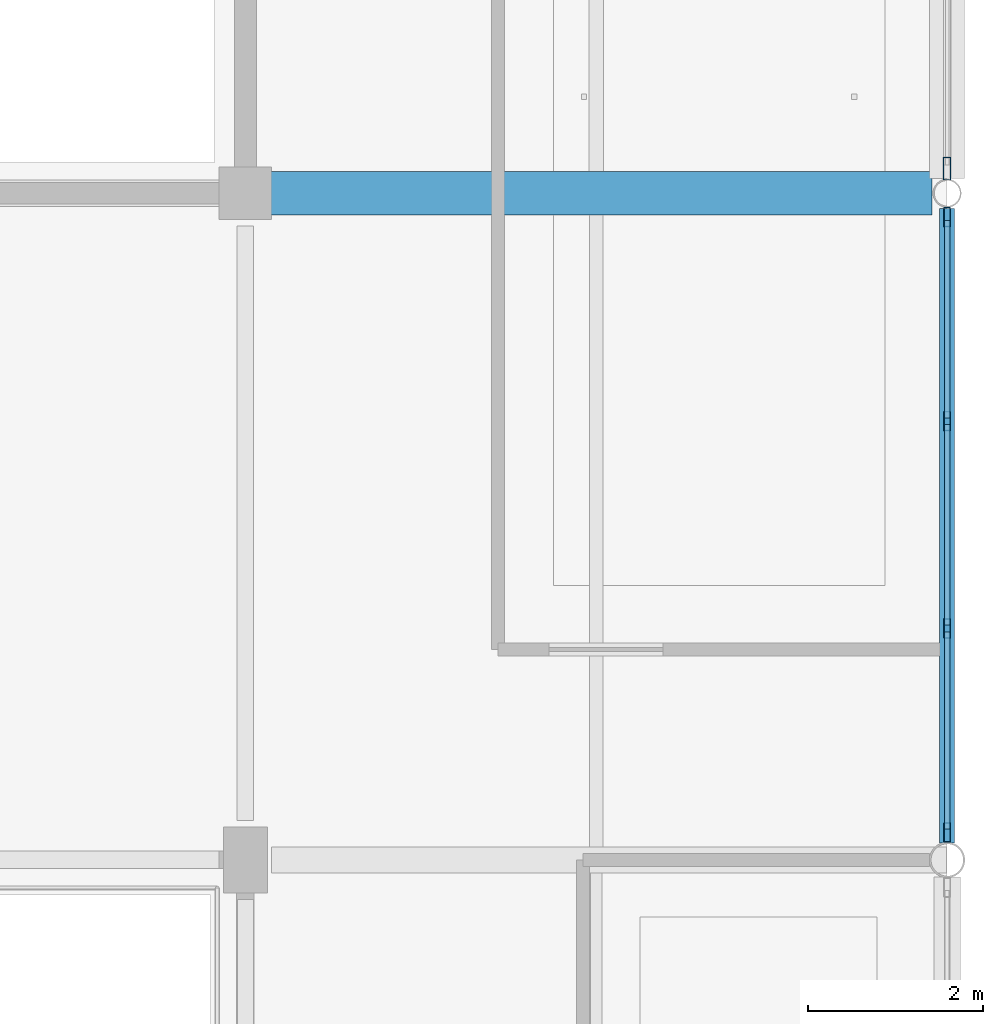
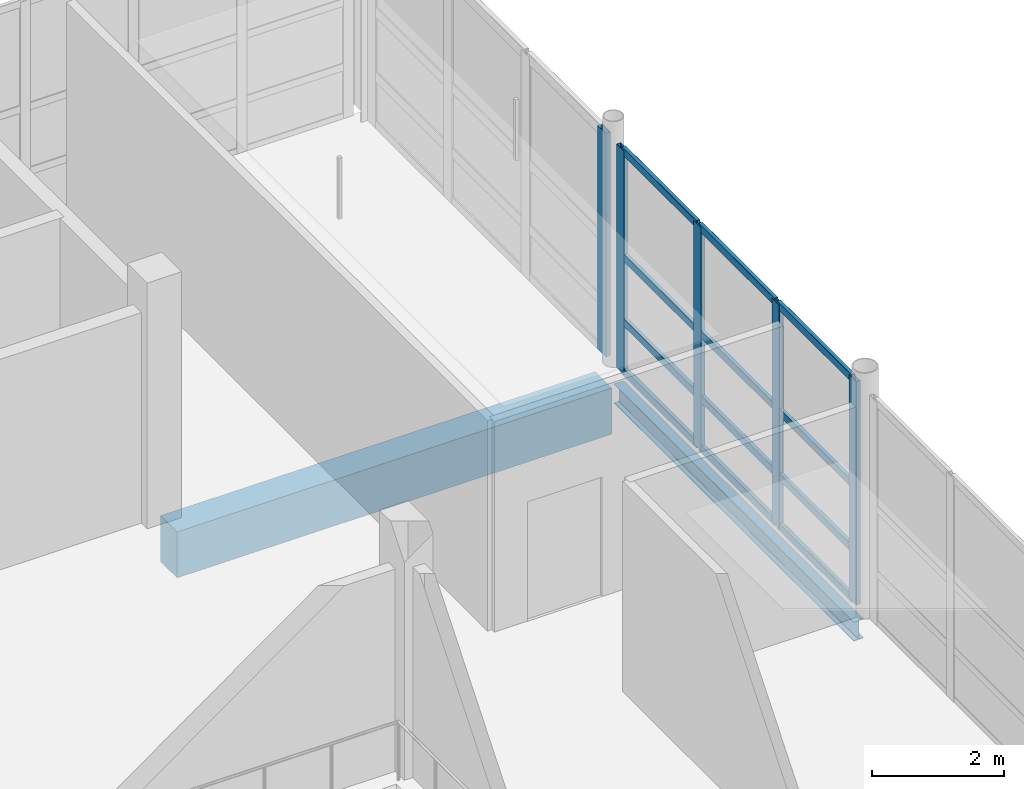
# One storey, part 41 of 107: 17 members, 2 beams, 2 elements without a shape of their own.
"""IFC4 building model written with IfcOpenShell, lengths in metres."""

from ifc_helpers import new_model, si_unit, direction, frame, origin, origin_2d, place, context, subcontext, project, spatial, rectangle, hollow_rectangle, i_section, extrude, material, material_profile, profile_set, type_object, element, aggregate, save


model = new_model("IFC4")

# Units and contexts
model_context = context("Model", 3, precision=1e-05, world=origin(), true_north=direction((0.0, 1.0)))
body_context = subcontext(model_context, "Body", "Model", "MODEL_VIEW")
ifc_project = project(units=[si_unit("LENGTHUNIT", "METRE"), si_unit("AREAUNIT", "SQUARE_METRE"), si_unit("VOLUMEUNIT", "CUBIC_METRE"), si_unit("PLANEANGLEUNIT", "RADIAN"), si_unit("MASSUNIT", "GRAM", prefix="KILO")], contexts=[model_context])

# Site, building, storey
site_placement = place(None, origin())
site = spatial("IfcSite", under=ifc_project, at=site_placement, CompositionType="ELEMENT")
building_placement = place(site_placement, origin())
building = spatial("IfcBuilding", under=site, at=building_placement, Name="Khelvaren Railside Concert Hall", CompositionType="ELEMENT")
storey_placement = place(building_placement, frame((0.0, 0.0, 15.0)))
storey = spatial("IfcBuildingStorey", under=building, at=storey_placement, Name="L03", CompositionType="ELEMENT", Elevation=15.0)

# Curtain wall, members
ifc_material_1 = material(Name="Double-glazed clear foyer glass", Category="glass")
curtain_wall_type_1 = type_object("IfcCurtainWallType", Name="CW83", PredefinedType="USERDEFINED", material=ifc_material_1)
curtain_wall_1_placement = place(storey_placement, origin())
curtain_wall_1 = element("IfcCurtainWall", 1, at=curtain_wall_1_placement, inside=storey, type_object=curtain_wall_type_1, Name="Unitised Curtain Wall CW-V2-L03-E-23", ObjectType="UNITISED CURTAIN WALL", PredefinedType="USERDEFINED")
ifc_material_2 = material(Name="Anodised architectural aluminium 6063-T6", Category="aluminium")
ifc_material_profile_1 = material_profile(ifc_material_2, hollow_rectangle(XDim=0.074951171875, YDim=0.219970703125, WallThickness=0.0048828125, InnerFilletRadius=0.0029296875, OuterFilletRadius=0.0048828125, at=origin_2d()), Name="CWM 75x220x5")
ifc_profile_set_1 = profile_set([ifc_material_profile_1], Name="Anodised architectural aluminium 6063-T6")
member_type_1 = type_object("IfcMemberType", Name="CWM13", PredefinedType="MULLION", material=ifc_profile_set_1)
member_1_placement = place(storey_placement, frame((184.0, 30.1279296875, 0.0), z_axis=(0.0, 0.0, 1.0), x_axis=(1.0, 0.0, 0.0)))
member_1 = element("IfcMember", 2, at=member_1_placement, type_object=member_type_1, Name="CW83 mullion 1", PredefinedType="MULLION", context=body_context, shape_type="SweptSolid", body=[
    extrude(hollow_rectangle(XDim=0.074951171875, YDim=0.219970703125, WallThickness=0.0048828125, InnerFilletRadius=0.0029296875, OuterFilletRadius=0.0048828125, at=origin_2d()), origin(), (0.0, 0.0, 1.0), 4.1201171875),
])
member_2_placement = place(storey_placement, frame((184.0, 27.80224609375, 0.0), z_axis=(0.0, 0.0, 1.0), x_axis=(1.0, 0.0, 0.0)))
member_2 = element("IfcMember", 3, at=member_2_placement, type_object=member_type_1, Name="CW83 mullion 2", PredefinedType="MULLION", context=body_context, shape_type="SweptSolid", body=[
    extrude(hollow_rectangle(XDim=0.074951171875, YDim=0.219970703125, WallThickness=0.0048828125, InnerFilletRadius=0.0029296875, OuterFilletRadius=0.0048828125, at=origin_2d()), origin(), (0.0, 0.0, 1.0), 4.1201171875),
])
member_3_placement = place(storey_placement, frame((184.0, 25.43896484375, 0.0), z_axis=(0.0, 0.0, 1.0), x_axis=(1.0, 0.0, 0.0)))
member_3 = element("IfcMember", 4, at=member_3_placement, type_object=member_type_1, Name="CW83 mullion 3", PredefinedType="MULLION", context=body_context, shape_type="SweptSolid", body=[
    extrude(hollow_rectangle(XDim=0.074951171875, YDim=0.219970703125, WallThickness=0.0048828125, InnerFilletRadius=0.0029296875, OuterFilletRadius=0.0048828125, at=origin_2d()), origin(), (0.0, 0.0, 1.0), 4.1201171875),
])
member_4_placement = place(storey_placement, frame((184.0, 23.11328125, 0.0), z_axis=(0.0, 0.0, 1.0), x_axis=(1.0, 0.0, 0.0)))
member_4 = element("IfcMember", 5, at=member_4_placement, type_object=member_type_1, Name="CW83 mullion 4", PredefinedType="MULLION", context=body_context, shape_type="SweptSolid", body=[
    extrude(hollow_rectangle(XDim=0.074951171875, YDim=0.219970703125, WallThickness=0.0048828125, InnerFilletRadius=0.0029296875, OuterFilletRadius=0.0048828125, at=origin_2d()), origin(), (0.0, 0.0, 1.0), 4.1201171875),
])

# Curtain wall, member
ifc_material_3 = material(Name="Acoustic laminated crystal facade glass", Category="glass")
curtain_wall_type_2 = type_object("IfcCurtainWallType", Name="CW15", PredefinedType="USERDEFINED", material=ifc_material_3)
curtain_wall_2_placement = place(storey_placement, origin())
curtain_wall_2 = element("IfcCurtainWall", 6, at=curtain_wall_2_placement, inside=storey, type_object=curtain_wall_type_2, Name="Unitised Curtain Wall CW-V2-L03-E-30", ObjectType="UNITISED CURTAIN WALL", PredefinedType="USERDEFINED")
ifc_material_profile_2 = material_profile(ifc_material_2, hollow_rectangle(XDim=0.0849609375, YDim=0.260009765625, WallThickness=0.0048828125, InnerFilletRadius=0.0029296875, OuterFilletRadius=0.0048828125, at=origin_2d()), Name="CWM 85x260x5")
ifc_profile_set_2 = profile_set([ifc_material_profile_2], Name="Anodised architectural aluminium 6063-T6")
member_type_2 = type_object("IfcMemberType", Name="CWM40", PredefinedType="MULLION", material=ifc_profile_set_2)
member_5_placement = place(storey_placement, frame((184.0, 30.681884765625, 0.0), z_axis=(0.0, 0.0, 1.0), x_axis=(1.0, 0.0, 0.0)))
member_5 = element("IfcMember", 7, at=member_5_placement, type_object=member_type_2, Name="CW15 mullion 4", PredefinedType="MULLION", context=body_context, shape_type="SweptSolid", body=[
    extrude(hollow_rectangle(XDim=0.0849609375, YDim=0.260009765625, WallThickness=0.0048828125, InnerFilletRadius=0.0029296875, OuterFilletRadius=0.0048828125, at=origin_2d()), origin(), (0.0, 0.0, 1.0), 4.1201171875),
])
aggregate(curtain_wall_2, [member_5])

# Member
ifc_material_profile_3 = material_profile(ifc_material_2, hollow_rectangle(XDim=0.06494140625, YDim=0.139892578125, WallThickness=0.00390625, InnerFilletRadius=0.001953125, OuterFilletRadius=0.00390625, at=origin_2d()), Name="CWT 65x140x4")
ifc_profile_set_3 = profile_set([ifc_material_profile_3], Name="Anodised architectural aluminium 6063-T6")
member_type_3 = type_object("IfcMemberType", Name="CWT72", PredefinedType="USERDEFINED", material=ifc_profile_set_3)
member_6_placement = place(storey_placement, frame((184.0, 30.090576171875, 0.032470703125), z_axis=(0.0, -1.0, 0.0), x_axis=(1.0, 0.0, 0.0)))
member_6 = element("IfcMember", 8, at=member_6_placement, type_object=member_type_3, Name="CW83 transom 1.1", ObjectType="TRANSOM", PredefinedType="USERDEFINED", context=body_context, shape_type="SweptSolid", body=[
    extrude(hollow_rectangle(XDim=0.06494140625, YDim=0.139892578125, WallThickness=0.00390625, InnerFilletRadius=0.001953125, OuterFilletRadius=0.00390625, at=origin_2d()), origin(), (0.0, 0.0, 1.0), 2.250732421875),
])

member_7_placement = place(storey_placement, frame((184.0, 30.090576171875, 0.949951171875), z_axis=(0.0, -1.0, 0.0), x_axis=(1.0, 0.0, 0.0)))
member_7 = element("IfcMember", 9, at=member_7_placement, type_object=member_type_3, Name="CW83 transom 1.2", ObjectType="TRANSOM", PredefinedType="USERDEFINED", context=body_context, shape_type="SweptSolid", body=[
    extrude(hollow_rectangle(XDim=0.06494140625, YDim=0.139892578125, WallThickness=0.00390625, InnerFilletRadius=0.001953125, OuterFilletRadius=0.00390625, at=origin_2d()), origin(), (0.0, 0.0, 1.0), 2.250732421875),
])

member_8_placement = place(storey_placement, frame((184.0, 30.090576171875, 2.142333984375), z_axis=(0.0, -1.0, 0.0), x_axis=(1.0, 0.0, 0.0)))
member_8 = element("IfcMember", 10, at=member_8_placement, type_object=member_type_3, Name="CW83 transom 1.3", ObjectType="TRANSOM", PredefinedType="USERDEFINED", context=body_context, shape_type="SweptSolid", body=[
    extrude(hollow_rectangle(XDim=0.06494140625, YDim=0.139892578125, WallThickness=0.00390625, InnerFilletRadius=0.001953125, OuterFilletRadius=0.00390625, at=origin_2d()), origin(), (0.0, 0.0, 1.0), 2.250732421875),
])

member_9_placement = place(storey_placement, frame((184.0, 30.090576171875, 4.08740234375), z_axis=(0.0, -1.0, 0.0), x_axis=(1.0, 0.0, 0.0)))
member_9 = element("IfcMember", 11, at=member_9_placement, type_object=member_type_3, Name="CW83 transom 1.4", ObjectType="TRANSOM", PredefinedType="USERDEFINED", context=body_context, shape_type="SweptSolid", body=[
    extrude(hollow_rectangle(XDim=0.06494140625, YDim=0.139892578125, WallThickness=0.00390625, InnerFilletRadius=0.001953125, OuterFilletRadius=0.00390625, at=origin_2d()), origin(), (0.0, 0.0, 1.0), 2.250732421875),
])

member_10_placement = place(storey_placement, frame((184.0, 27.7646484375, 0.032470703125), z_axis=(0.0, -1.0, 0.0), x_axis=(1.0, 0.0, 0.0)))
member_10 = element("IfcMember", 12, at=member_10_placement, type_object=member_type_3, Name="CW83 transom 2.1", ObjectType="TRANSOM", PredefinedType="USERDEFINED", context=body_context, shape_type="SweptSolid", body=[
    extrude(hollow_rectangle(XDim=0.06494140625, YDim=0.139892578125, WallThickness=0.00390625, InnerFilletRadius=0.001953125, OuterFilletRadius=0.00390625, at=origin_2d()), origin(), (0.0, 0.0, 1.0), 2.2880859375),
])

member_11_placement = place(storey_placement, frame((184.0, 27.7646484375, 0.949951171875), z_axis=(0.0, -1.0, 0.0), x_axis=(1.0, 0.0, 0.0)))
member_11 = element("IfcMember", 13, at=member_11_placement, type_object=member_type_3, Name="CW83 transom 2.2", ObjectType="TRANSOM", PredefinedType="USERDEFINED", context=body_context, shape_type="SweptSolid", body=[
    extrude(hollow_rectangle(XDim=0.06494140625, YDim=0.139892578125, WallThickness=0.00390625, InnerFilletRadius=0.001953125, OuterFilletRadius=0.00390625, at=origin_2d()), origin(), (0.0, 0.0, 1.0), 2.2880859375),
])

member_12_placement = place(storey_placement, frame((184.0, 27.7646484375, 2.142333984375), z_axis=(0.0, -1.0, 0.0), x_axis=(1.0, 0.0, 0.0)))
member_12 = element("IfcMember", 14, at=member_12_placement, type_object=member_type_3, Name="CW83 transom 2.3", ObjectType="TRANSOM", PredefinedType="USERDEFINED", context=body_context, shape_type="SweptSolid", body=[
    extrude(hollow_rectangle(XDim=0.06494140625, YDim=0.139892578125, WallThickness=0.00390625, InnerFilletRadius=0.001953125, OuterFilletRadius=0.00390625, at=origin_2d()), origin(), (0.0, 0.0, 1.0), 2.2880859375),
])

member_13_placement = place(storey_placement, frame((184.0, 27.7646484375, 4.08740234375), z_axis=(0.0, -1.0, 0.0), x_axis=(1.0, 0.0, 0.0)))
member_13 = element("IfcMember", 15, at=member_13_placement, type_object=member_type_3, Name="CW83 transom 2.4", ObjectType="TRANSOM", PredefinedType="USERDEFINED", context=body_context, shape_type="SweptSolid", body=[
    extrude(hollow_rectangle(XDim=0.06494140625, YDim=0.139892578125, WallThickness=0.00390625, InnerFilletRadius=0.001953125, OuterFilletRadius=0.00390625, at=origin_2d()), origin(), (0.0, 0.0, 1.0), 2.2880859375),
])

member_14_placement = place(storey_placement, frame((184.0, 25.4013671875, 0.032470703125), z_axis=(0.0, -1.0, 0.0), x_axis=(1.0, 0.0, 0.0)))
member_14 = element("IfcMember", 16, at=member_14_placement, type_object=member_type_3, Name="CW83 transom 3.1", ObjectType="TRANSOM", PredefinedType="USERDEFINED", context=body_context, shape_type="SweptSolid", body=[
    extrude(hollow_rectangle(XDim=0.06494140625, YDim=0.139892578125, WallThickness=0.00390625, InnerFilletRadius=0.001953125, OuterFilletRadius=0.00390625, at=origin_2d()), origin(), (0.0, 0.0, 1.0), 2.250732421875),
])

member_15_placement = place(storey_placement, frame((184.0, 25.4013671875, 0.949951171875), z_axis=(0.0, -1.0, 0.0), x_axis=(1.0, 0.0, 0.0)))
member_15 = element("IfcMember", 17, at=member_15_placement, type_object=member_type_3, Name="CW83 transom 3.2", ObjectType="TRANSOM", PredefinedType="USERDEFINED", context=body_context, shape_type="SweptSolid", body=[
    extrude(hollow_rectangle(XDim=0.06494140625, YDim=0.139892578125, WallThickness=0.00390625, InnerFilletRadius=0.001953125, OuterFilletRadius=0.00390625, at=origin_2d()), origin(), (0.0, 0.0, 1.0), 2.250732421875),
])

member_16_placement = place(storey_placement, frame((184.0, 25.4013671875, 2.142333984375), z_axis=(0.0, -1.0, 0.0), x_axis=(1.0, 0.0, 0.0)))
member_16 = element("IfcMember", 18, at=member_16_placement, type_object=member_type_3, Name="CW83 transom 3.3", ObjectType="TRANSOM", PredefinedType="USERDEFINED", context=body_context, shape_type="SweptSolid", body=[
    extrude(hollow_rectangle(XDim=0.06494140625, YDim=0.139892578125, WallThickness=0.00390625, InnerFilletRadius=0.001953125, OuterFilletRadius=0.00390625, at=origin_2d()), origin(), (0.0, 0.0, 1.0), 2.250732421875),
])

member_17_placement = place(storey_placement, frame((184.0, 25.4013671875, 4.08740234375), z_axis=(0.0, -1.0, 0.0), x_axis=(1.0, 0.0, 0.0)))
member_17 = element("IfcMember", 19, at=member_17_placement, type_object=member_type_3, Name="CW83 transom 3.4", ObjectType="TRANSOM", PredefinedType="USERDEFINED", context=body_context, shape_type="SweptSolid", body=[
    extrude(hollow_rectangle(XDim=0.06494140625, YDim=0.139892578125, WallThickness=0.00390625, InnerFilletRadius=0.001953125, OuterFilletRadius=0.00390625, at=origin_2d()), origin(), (0.0, 0.0, 1.0), 2.250732421875),
])

aggregate(curtain_wall_1, [member_1, member_2, member_3, member_4, member_6, member_7, member_8, member_9, member_10, member_11, member_12, member_13, member_14, member_15, member_16, member_17])

# Beams
ifc_material_4 = material(Name="Concrete C40/50", Category="concrete")
ifc_material_profile_4 = material_profile(ifc_material_4, rectangle(XDim=0.5, YDim=0.85009765625, at=origin_2d()), Name="RCB 500x850")
ifc_profile_set_4 = profile_set([ifc_material_profile_4], Name="Concrete C40/50")
beam_type_1 = type_object("IfcBeamType", Name="GR96", PredefinedType="T_BEAM", material=ifc_profile_set_4)
beam_1_placement = place(storey_placement, frame((176.25, 30.39990234375, -0.705078125), z_axis=(1.0, 0.0, 0.0), x_axis=(0.0, 1.0, 0.0)))
element("IfcBeam", 20, at=beam_1_placement, inside=storey, type_object=beam_type_1, Name="V2 L03 T_Beam X5.5", PredefinedType="T_BEAM", context=body_context, shape_type="SweptSolid", body=[
    extrude(rectangle(XDim=0.5, YDim=0.85009765625, at=origin_2d()), origin(), (0.0, 0.0, 1.0), 7.579345703125),
])
ifc_material_5 = material(Name="Steel S355", Category="steel")
ifc_material_profile_5 = material_profile(ifc_material_5, i_section(OverallWidth=0.169921875, OverallDepth=0.360107421875, WebThickness=0.008056640625, FlangeThickness=0.0126953125, FilletRadius=0.01806640625, at=origin_2d()), Name="IPE 360")
ifc_profile_set_5 = profile_set([ifc_material_profile_5], Name="Steel S355")
beam_type_2 = type_object("IfcBeamType", Name="SP74", PredefinedType="SPANDREL", material=ifc_profile_set_5)
beam_2_placement = place(storey_placement, frame((184.0, 22.9951171875, -0.4599609375), z_axis=(0.0, 1.0, 0.0), x_axis=(-1.0, 0.0, 0.0)))
element("IfcBeam", 21, at=beam_2_placement, inside=storey, type_object=beam_type_2, Name="V2 L03 Spandrel Y6.4", PredefinedType="SPANDREL", context=body_context, shape_type="SweptSolid", body=[
    extrude(i_section(OverallWidth=0.169921875, OverallDepth=0.360107421875, WebThickness=0.008056640625, FlangeThickness=0.0126953125, FilletRadius=0.01806640625, at=origin_2d()), origin(), (0.0, 0.0, 1.0), 7.234130859375),
])

save(model, "model.ifc")
